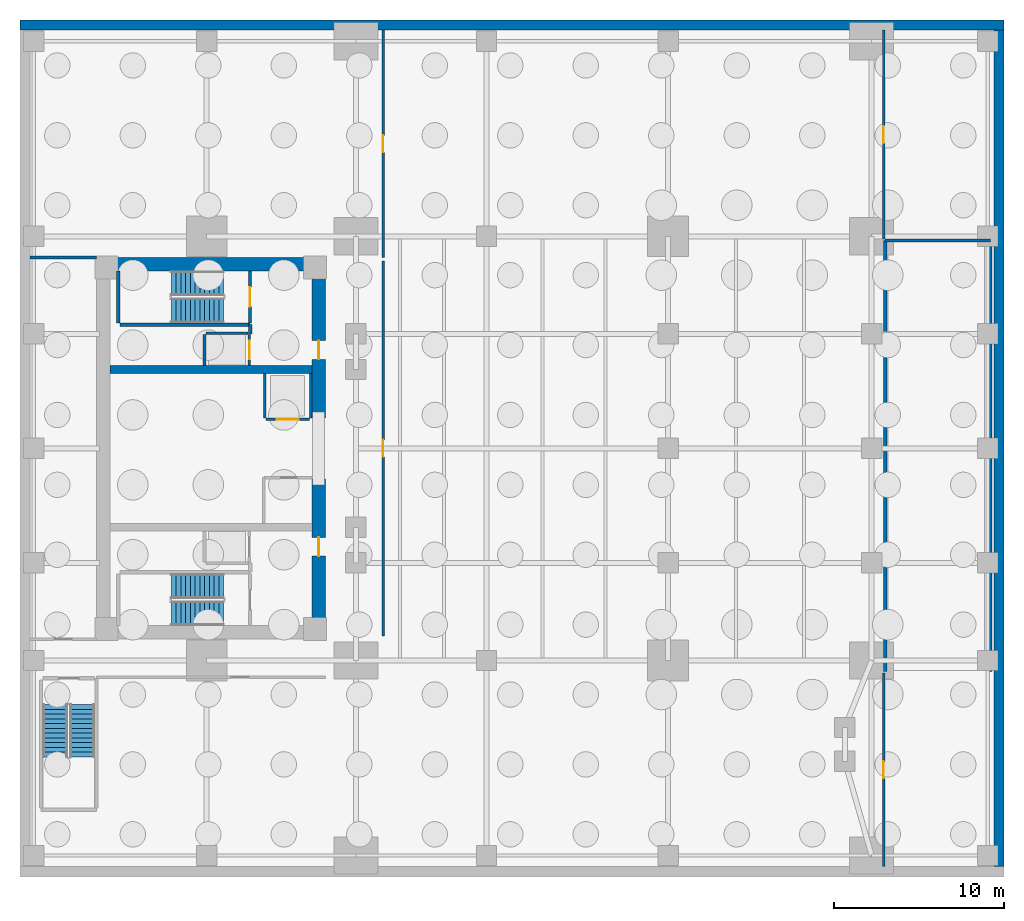
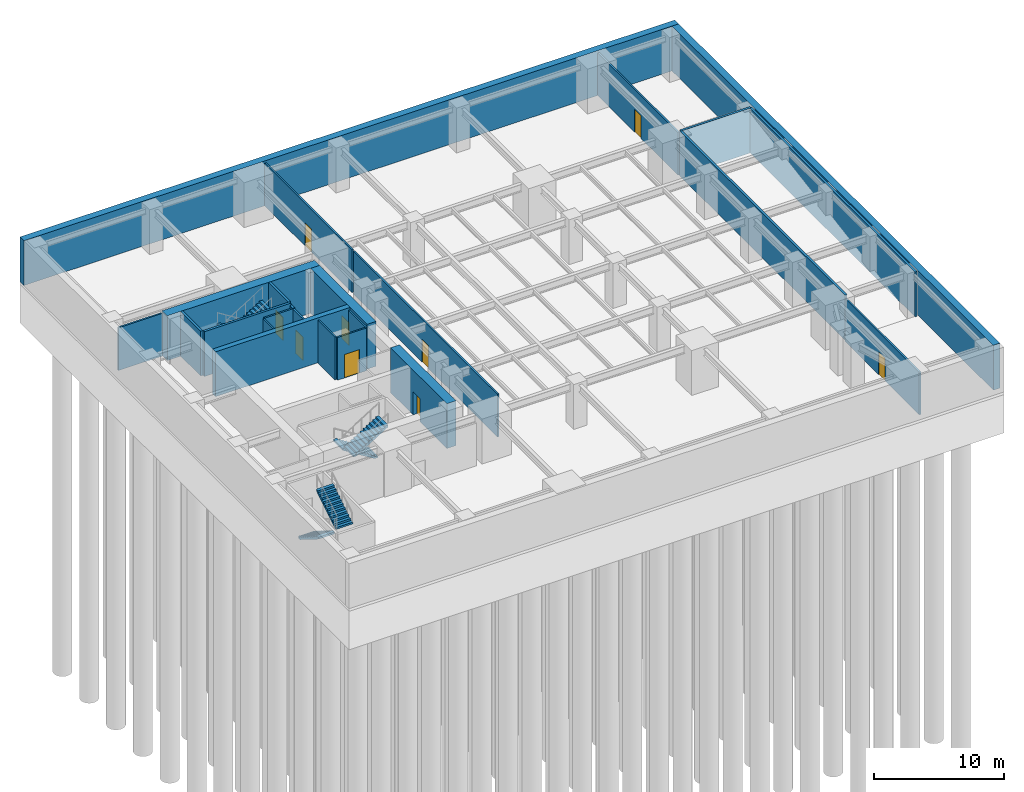
# One storey, part 4 of 6: 24 walls, 9 doors, 6 stair flights, 9 openings, 3 elements without a shape of their own.
"""IFC4 building model written with IfcOpenShell, lengths in metres."""

from ifc_helpers import new_model, si_unit, direction, frame, frame_2d, origin, place, context, subcontext, project, spatial, polyline, rectangle, outline, extrude, material, layer, layer_set, type_object, element, fill, aggregate, save


model = new_model("IFC4")

# Units and contexts
model_context = context("Model", 3, precision=1e-05, world=origin(), true_north=direction((0.0, 1.0)))
body_context = subcontext(model_context, "Body", "Model", "MODEL_VIEW")
ifc_project = project(units=[si_unit("LENGTHUNIT", "METRE"), si_unit("AREAUNIT", "SQUARE_METRE"), si_unit("VOLUMEUNIT", "CUBIC_METRE"), si_unit("PLANEANGLEUNIT", "RADIAN"), si_unit("MASSUNIT", "GRAM", prefix="KILO")], contexts=[model_context])

# Site, building, storey
site_placement = place(None, origin())
site = spatial("IfcSite", under=ifc_project, at=site_placement, CompositionType="ELEMENT")
building_placement = place(site_placement, origin())
building = spatial("IfcBuilding", under=site, at=building_placement, Name="Kinhvarn Gate Tower", CompositionType="ELEMENT")
storey_placement = place(building_placement, frame((0.0, 0.0, -13.199951171875)))
storey = spatial("IfcBuildingStorey", under=building, at=storey_placement, Name="B03", CompositionType="ELEMENT", Elevation=-13.199951171875)

# Walls
ifc_material_1 = material(Name="Concrete C50/60", Category="concrete")
ifc_layer_1 = layer(ifc_material_1, 0.449951171875)
ifc_layer_set_1 = layer_set([ifc_layer_1], Name="Concrete C50/60")
wall_type_1 = type_object("IfcWallType", Name="WL-CORE-450", PredefinedType="SHEAR", material=ifc_layer_set_1)
wall_1_placement = place(storey_placement, frame((5.300048828125, 29.89990234375, 0.0), z_axis=(0.0, 0.0, 1.0), x_axis=(1.0, 0.0, 0.0)))
element("IfcWall", 1, at=wall_1_placement, inside=storey, type_object=wall_type_1, Name="Core North Spine Shear Wall B03 450 mm", PredefinedType="SHEAR", context=body_context, shape_type="SweptSolid", body=[
    extrude(rectangle(XDim=11.89990234375, YDim=0.449951171875, at=frame_2d((5.949951171875, 0.0))), origin(), (0.0, 0.0, 1.0), 4.199951171875),
])
ifc_material_2 = material(Name="Concrete C70/85", Category="concrete")
ifc_layer_2 = layer(ifc_material_2, 0.800048828125)
ifc_layer_set_2 = layer_set([ifc_layer_2], Name="Concrete C70/85")
wall_type_2 = type_object("IfcWallType", Name="WL-CORE-800", PredefinedType="SHEAR", material=ifc_layer_set_2)
wall_2_placement = place(storey_placement, frame((4.5, 36.10009765625, 0.0), z_axis=(0.0, 0.0, 1.0), x_axis=(1.0, 0.0, 0.0)))
element("IfcWall", 2, at=wall_2_placement, inside=storey, type_object=wall_type_2, Name="Core North Shear Wall B03 800 mm", PredefinedType="SHEAR", context=body_context, shape_type="SweptSolid", body=[
    extrude(rectangle(XDim=13.5, YDim=0.800048828125, at=frame_2d((6.75, 0.0))), origin(), (0.0, 0.0, 1.0), 4.199951171875),
])

# Wall, opening, door
wall_3_placement = place(storey_placement, frame((17.60009765625, 14.800048828125, 0.0), z_axis=(0.0, 0.0, 1.0), x_axis=(0.0, 1.0, 0.0)))
wall_3 = element("IfcWall", 3, at=wall_3_placement, inside=storey, type_object=wall_type_2, Name="Core East-South Shear Pier B03 800 mm", PredefinedType="SHEAR", context=body_context, shape_type="SweptSolid", body=[
    extrude(rectangle(XDim=8.64990234375, YDim=0.800048828125, at=frame_2d((4.324951171875, 0.0))), origin(), (0.0, 0.0, 1.0), 4.199951171875),
])
opening_1_placement = place(wall_3_placement, frame((4.10009765625, 0.0, 0.0)))
opening_1 = element("IfcOpeningElement", 4, at=opening_1_placement, cuts=wall_3, Name="Opening FD-02", PredefinedType="OPENING", context=body_context, shape_type="SweptSolid", body=[
    extrude(rectangle(XDim=1.10009765625, YDim=2.14990234375, at=frame_2d((0.550048828125, 1.074951171875))), frame((0.0, 0.41015625, 0.0), z_axis=(0.0, -1.0, 0.0), x_axis=(1.0, 0.0, 0.0)), (0.0, 0.0, 1.0), 0.820068359375),
])
ifc_material_3 = material(Name="Anodised aluminium AW-6063", Category="aluminium")
door_type_1 = type_object("IfcDoorType", Name="DR-FD-1100", OperationType="NOTDEFINED", PredefinedType="DOOR", material=ifc_material_3)
door_1_placement = place(opening_1_placement, origin())
door_1 = element("IfcDoor", 5, at=door_1_placement, inside=storey, type_object=door_type_1, Name="Firefighting Lobby Core Door (B03)", OperationType="SINGLE_SWING_RIGHT", OverallHeight=2.14990234375, OverallWidth=1.10009765625, PredefinedType="DOOR", context=body_context, shape_type="SweptSolid", body=[
    extrude(rectangle(XDim=1.10009765625, YDim=2.14990234375, at=frame_2d((0.550048828125, 1.074951171875))), frame((0.0, 0.02490234375, 0.0), z_axis=(0.0, -1.0, 0.0), x_axis=(1.0, 0.0, 0.0)), (0.0, 0.0, 1.0), 0.050048828125),
])
fill(opening_1, door_1)

wall_4_placement = place(storey_placement, frame((17.60009765625, 27.050048828125, 0.0), z_axis=(0.0, 0.0, 1.0), x_axis=(0.0, 1.0, 0.0)))
wall_4 = element("IfcWall", 6, at=wall_4_placement, inside=storey, type_object=wall_type_2, Name="Core East-North Shear Pier B03 800 mm", PredefinedType="SHEAR", context=body_context, shape_type="SweptSolid", body=[
    extrude(rectangle(XDim=8.64990234375, YDim=0.800048828125, at=frame_2d((4.324951171875, 0.0))), origin(), (0.0, 0.0, 1.0), 4.199951171875),
])
opening_2_placement = place(wall_4_placement, frame((3.449951171875, 0.0, 0.0)))
opening_2 = element("IfcOpeningElement", 7, at=opening_2_placement, cuts=wall_4, Name="Opening FD-02", PredefinedType="OPENING", context=body_context, shape_type="SweptSolid", body=[
    extrude(rectangle(XDim=1.10009765625, YDim=2.14990234375, at=frame_2d((0.550048828125, 1.074951171875))), frame((0.0, 0.41015625, 0.0), z_axis=(0.0, -1.0, 0.0), x_axis=(1.0, 0.0, 0.0)), (0.0, 0.0, 1.0), 0.820068359375),
])
door_2_placement = place(opening_2_placement, origin())
door_2 = element("IfcDoor", 8, at=door_2_placement, inside=storey, type_object=door_type_1, Name="Firefighting Lobby Core Door (B03)", OperationType="SINGLE_SWING_LEFT", OverallHeight=2.14990234375, OverallWidth=1.10009765625, PredefinedType="DOOR", context=body_context, shape_type="SweptSolid", body=[
    extrude(rectangle(XDim=1.10009765625, YDim=2.14990234375, at=frame_2d((0.550048828125, 1.074951171875))), frame((0.0, 0.02490234375, 0.0), z_axis=(0.0, -1.0, 0.0), x_axis=(1.0, 0.0, 0.0)), (0.0, 0.0, 1.0), 0.050048828125),
])
fill(opening_2, door_2)

ifc_material_4 = material(Name="Gypsum acoustic partition board")
ifc_layer_3 = layer(ifc_material_4, 0.14990234375)
ifc_layer_set_3 = layer_set([ifc_layer_3], Name="Gypsum acoustic partition board")
wall_type_3 = type_object("IfcWallType", Name="WL-PRT-150F", PredefinedType="PARTITIONING", material=ifc_layer_set_3)
wall_5_placement = place(storey_placement, frame((21.39990234375, 14.199951171875, 0.0), z_axis=(0.0, 0.0, 1.0), x_axis=(0.0, 1.0, 0.0)))
wall_5 = element("IfcWall", 9, at=wall_5_placement, inside=storey, type_object=wall_type_3, Name="Interior Partition PW-150F (B03)", PredefinedType="PARTITIONING", context=body_context, shape_type="SweptSolid", body=[
    extrude(rectangle(XDim=22.10009765625, YDim=0.14990234375, at=frame_2d((11.050048828125, 0.0))), origin(), (0.0, 0.0, 1.0), 4.0),
])
opening_3_placement = place(wall_5_placement, frame((10.550048828125, 0.0, 0.0)))
opening_3 = element("IfcOpeningElement", 10, at=opening_3_placement, cuts=wall_5, Name="Opening ID-02", PredefinedType="OPENING", context=body_context, shape_type="SweptSolid", body=[
    extrude(rectangle(XDim=1.0, YDim=2.14990234375, at=frame_2d((0.5, 1.074951171875))), frame((0.0, 0.0849609375, 0.0), z_axis=(0.0, -1.0, 0.0), x_axis=(1.0, 0.0, 0.0)), (0.0, 0.0, 1.0), 0.169921875),
])
door_type_2 = type_object("IfcDoorType", Name="DR-INT-1000", OperationType="NOTDEFINED", PredefinedType="DOOR", material=ifc_material_3)
door_3_placement = place(opening_3_placement, origin())
door_3 = element("IfcDoor", 11, at=door_3_placement, inside=storey, type_object=door_type_2, Name="Standard Office & Meeting Room Door 1000x2150 mm (B03)", OperationType="SINGLE_SWING_LEFT", OverallHeight=2.14990234375, OverallWidth=1.0, PredefinedType="DOOR", context=body_context, shape_type="SweptSolid", body=[
    extrude(rectangle(XDim=1.0, YDim=2.14990234375, at=frame_2d((0.5, 1.074951171875))), frame((0.0, 0.02490234375, 0.0), z_axis=(0.0, -1.0, 0.0), x_axis=(1.0, 0.0, 0.0)), (0.0, 0.0, 1.0), 0.050048828125),
])
fill(opening_3, door_3)

# Wall
wall_6_placement = place(storey_placement, frame((0.60009765625, 36.5, 0.0), z_axis=(0.0, 0.0, 1.0), x_axis=(1.0, 0.0, 0.0)))
element("IfcWall", 12, at=wall_6_placement, inside=storey, type_object=wall_type_3, Name="Interior Partition PW-150F (B03)", PredefinedType="PARTITIONING", context=body_context, shape_type="SweptSolid", body=[
    extrude(rectangle(XDim=3.89990234375, YDim=0.14990234375, at=frame_2d((1.949951171875, 0.0))), origin(), (0.0, 0.0, 1.0), 4.0),
])

# Wall, opening, door
wall_7_placement = place(storey_placement, frame((21.39990234375, 36.5, 0.0), z_axis=(0.0, 0.0, 1.0), x_axis=(0.0, 1.0, 0.0)))
wall_7 = element("IfcWall", 13, at=wall_7_placement, inside=storey, type_object=wall_type_3, Name="Interior Partition PW-150F (B03)", PredefinedType="PARTITIONING", context=body_context, shape_type="SweptSolid", body=[
    extrude(rectangle(XDim=13.39990234375, YDim=0.14990234375, at=frame_2d((6.699951171875, 0.0))), origin(), (0.0, 0.0, 1.0), 4.0),
])
opening_4_placement = place(wall_7_placement, frame((6.199951171875, 0.0, 0.0)))
opening_4 = element("IfcOpeningElement", 14, at=opening_4_placement, cuts=wall_7, Name="Opening FD-03", PredefinedType="OPENING", context=body_context, shape_type="SweptSolid", body=[
    extrude(rectangle(XDim=1.0, YDim=2.14990234375, at=frame_2d((0.5, 1.074951171875))), frame((0.0, 0.0849609375, 0.0), z_axis=(0.0, -1.0, 0.0), x_axis=(1.0, 0.0, 0.0)), (0.0, 0.0, 1.0), 0.169921875),
])
door_type_3 = type_object("IfcDoorType", Name="DR-FD-1000", OperationType="NOTDEFINED", PredefinedType="DOOR", material=ifc_material_3)
door_4_placement = place(opening_4_placement, origin())
door_4 = element("IfcDoor", 15, at=door_4_placement, inside=storey, type_object=door_type_3, Name="Rated Plant & Corridor Fire Door 1000x2150 mm (B03)", OperationType="SINGLE_SWING_RIGHT", OverallHeight=2.14990234375, OverallWidth=1.0, PredefinedType="DOOR", context=body_context, shape_type="SweptSolid", body=[
    extrude(rectangle(XDim=1.0, YDim=2.14990234375, at=frame_2d((0.5, 1.074951171875))), frame((0.0, 0.02490234375, 0.0), z_axis=(0.0, -1.0, 0.0), x_axis=(1.0, 0.0, 0.0)), (0.0, 0.0, 1.0), 0.050048828125),
])
fill(opening_4, door_4)

wall_8_placement = place(storey_placement, frame((50.89990234375, 0.60009765625, 0.0), z_axis=(0.0, 0.0, 1.0), x_axis=(0.0, 1.0, 0.0)))
wall_8 = element("IfcWall", 16, at=wall_8_placement, inside=storey, type_object=wall_type_3, Name="Interior Partition PW-150F (B03)", PredefinedType="PARTITIONING", context=body_context, shape_type="SweptSolid", body=[
    extrude(rectangle(XDim=11.39990234375, YDim=0.14990234375, at=frame_2d((5.699951171875, 0.0))), origin(), (0.0, 0.0, 1.0), 4.0),
])
opening_5_placement = place(wall_8_placement, frame((5.199951171875, 0.0, 0.0)))
opening_5 = element("IfcOpeningElement", 17, at=opening_5_placement, cuts=wall_8, Name="Opening FD-03", PredefinedType="OPENING", context=body_context, shape_type="SweptSolid", body=[
    extrude(rectangle(XDim=1.0, YDim=2.14990234375, at=frame_2d((0.5, 1.074951171875))), frame((0.0, 0.0849609375, 0.0), z_axis=(0.0, -1.0, 0.0), x_axis=(1.0, 0.0, 0.0)), (0.0, 0.0, 1.0), 0.169921875),
])
door_5_placement = place(opening_5_placement, origin())
door_5 = element("IfcDoor", 18, at=door_5_placement, inside=storey, type_object=door_type_3, Name="Rated Plant & Corridor Fire Door 1000x2150 mm (B03)", OperationType="SINGLE_SWING_LEFT", OverallHeight=2.14990234375, OverallWidth=1.0, PredefinedType="DOOR", context=body_context, shape_type="SweptSolid", body=[
    extrude(rectangle(XDim=1.0, YDim=2.14990234375, at=frame_2d((0.5, 1.074951171875))), frame((0.0, 0.02490234375, 0.0), z_axis=(0.0, -1.0, 0.0), x_axis=(1.0, 0.0, 0.0)), (0.0, 0.0, 1.0), 0.050048828125),
])
fill(opening_5, door_5)

wall_9_placement = place(storey_placement, frame((50.89990234375, 37.60009765625, 0.0), z_axis=(0.0, 0.0, 1.0), x_axis=(0.0, 1.0, 0.0)))
wall_9 = element("IfcWall", 19, at=wall_9_placement, inside=storey, type_object=wall_type_3, Name="Interior Partition PW-150F (B03)", PredefinedType="PARTITIONING", context=body_context, shape_type="SweptSolid", body=[
    extrude(rectangle(XDim=12.2998046875, YDim=0.14990234375, at=frame_2d((6.14990234375, 0.0))), origin(), (0.0, 0.0, 1.0), 4.0),
])
opening_6_placement = place(wall_9_placement, frame((5.64990234375, 0.0, 0.0)))
opening_6 = element("IfcOpeningElement", 20, at=opening_6_placement, cuts=wall_9, Name="Opening FD-03", PredefinedType="OPENING", context=body_context, shape_type="SweptSolid", body=[
    extrude(rectangle(XDim=1.0, YDim=2.14990234375, at=frame_2d((0.5, 1.074951171875))), frame((0.0, 0.0849609375, 0.0), z_axis=(0.0, -1.0, 0.0), x_axis=(1.0, 0.0, 0.0)), (0.0, 0.0, 1.0), 0.169921875),
])
door_6_placement = place(opening_6_placement, origin())
door_6 = element("IfcDoor", 21, at=door_6_placement, inside=storey, type_object=door_type_3, Name="Rated Plant & Corridor Fire Door 1000x2150 mm (B03)", OperationType="SINGLE_SWING_RIGHT", OverallHeight=2.14990234375, OverallWidth=1.0, PredefinedType="DOOR", context=body_context, shape_type="SweptSolid", body=[
    extrude(rectangle(XDim=1.0, YDim=2.14990234375, at=frame_2d((0.5, 1.074951171875))), frame((0.0, 0.02490234375, 0.0), z_axis=(0.0, -1.0, 0.0), x_axis=(1.0, 0.0, 0.0)), (0.0, 0.0, 1.0), 0.050048828125),
])
fill(opening_6, door_6)

# Walls
ifc_layer_4 = layer(ifc_material_4, 0.199951171875)
ifc_layer_set_4 = layer_set([ifc_layer_4], Name="Gypsum acoustic partition board")
wall_type_4 = type_object("IfcWallType", Name="WL-PRT-200", PredefinedType="PARTITIONING", material=ifc_layer_set_4)
wall_10_placement = place(storey_placement, frame((13.580078125, 32.0, 0.0), z_axis=(0.0, 0.0, 1.0), x_axis=(0.0, 1.0, 0.0)))
element("IfcWall", 22, at=wall_10_placement, inside=storey, type_object=wall_type_4, Name="Interior Partition PW-200 (B03)", PredefinedType="PARTITIONING", context=body_context, shape_type="SweptSolid", body=[
    extrude(rectangle(XDim=0.5400390625, YDim=0.199951171875, at=frame_2d((0.27001953125, 0.0))), origin(), (0.0, 0.0, 1.0), 4.0),
])
ifc_layer_5 = layer(ifc_material_1, 0.60009765625)
ifc_layer_set_5 = layer_set([ifc_layer_5], Name="Concrete C50/60")
wall_type_5 = type_object("IfcWallType", Name="WL-RET-600", PredefinedType="USERDEFINED", material=ifc_layer_set_5)
wall_11_placement = place(storey_placement, frame((0.0, 50.199951171875, 0.0), z_axis=(0.0, 0.0, 1.0), x_axis=(1.0, 0.0, 0.0)))
element("IfcWall", 23, at=wall_11_placement, inside=storey, type_object=wall_type_5, Name="North Diaphragm Retaining Wall B03 600 mm", ObjectType="RETAININGWALL", PredefinedType="USERDEFINED", context=body_context, shape_type="SweptSolid", body=[
    extrude(rectangle(XDim=58.0, YDim=0.60009765625, at=frame_2d((29.0, 0.0))), origin(), (0.0, 0.0, 1.0), 4.199951171875),
])
wall_12_placement = place(storey_placement, frame((57.699951171875, 0.60009765625, 0.0), z_axis=(0.0, 0.0, 1.0), x_axis=(0.0, 1.0, 0.0)))
element("IfcWall", 24, at=wall_12_placement, inside=storey, type_object=wall_type_5, Name="East Diaphragm Retaining Wall B03 600 mm", ObjectType="RETAININGWALL", PredefinedType="USERDEFINED", context=body_context, shape_type="SweptSolid", body=[
    extrude(rectangle(XDim=49.2998046875, YDim=0.60009765625, at=frame_2d((24.64990234375, 0.0))), origin(), (0.0, 0.0, 1.0), 4.199951171875),
])

# Wall, opening, door
ifc_layer_6 = layer(ifc_material_4, 0.14990234375)
ifc_layer_set_6 = layer_set([ifc_layer_6], Name="Gypsum acoustic partition board")
wall_type_6 = type_object("IfcWallType", Name="WL-SHF-150", PredefinedType="PARTITIONING", material=ifc_layer_set_6)
wall_13_placement = place(storey_placement, frame((14.5, 26.97509765625, 0.0), z_axis=(0.0, 0.0, 1.0), x_axis=(1.0, 0.0, 0.0)))
wall_13 = element("IfcWall", 25, at=wall_13_placement, inside=storey, type_object=wall_type_6, Name="Elevator SV-01 Landing Wall (B03)", PredefinedType="PARTITIONING", context=body_context, shape_type="SweptSolid", body=[
    extrude(rectangle(XDim=2.550048828125, YDim=0.14990234375, at=frame_2d((1.27490234375, 0.0))), origin(), (0.0, 0.0, 1.0), 4.0),
])
opening_7_placement = place(wall_13_placement, frame((0.625, 0.0, 0.0)))
opening_7 = element("IfcOpeningElement", 26, at=opening_7_placement, cuts=wall_13, Name="Opening LD-02", PredefinedType="OPENING", context=body_context, shape_type="SweptSolid", body=[
    extrude(rectangle(XDim=1.300048828125, YDim=2.199951171875, at=frame_2d((0.64990234375, 1.10009765625))), frame((0.0, 0.0849609375, 0.0), z_axis=(0.0, -1.0, 0.0), x_axis=(1.0, 0.0, 0.0)), (0.0, 0.0, 1.0), 0.169921875),
])
door_type_4 = type_object("IfcDoorType", Name="DR-LND-SRV", OperationType="NOTDEFINED", PredefinedType="DOOR", material=ifc_material_3)
door_7_placement = place(opening_7_placement, origin())
door_7 = element("IfcDoor", 27, at=door_7_placement, inside=storey, type_object=door_type_4, Name="Elevator SV-01 Sliding Landing Door (B03)", OperationType="DOUBLE_DOOR_SLIDING", OverallHeight=2.199951171875, OverallWidth=1.300048828125, PredefinedType="DOOR", context=body_context, shape_type="SweptSolid", body=[
    extrude(rectangle(XDim=1.300048828125, YDim=2.199951171875, at=frame_2d((0.64990234375, 1.10009765625))), frame((0.0, 0.02490234375, 0.0), z_axis=(0.0, -1.0, 0.0), x_axis=(1.0, 0.0, 0.0)), (0.0, 0.0, 1.0), 0.050048828125),
])
fill(opening_7, door_7)

# Walls
for number, where, z_axis, x_axis, name in (
    (28, (14.425048828125, 27.050048828125, 0.0), (0.0, 0.0, 1.0), (0.0, 1.0, 0.0), "Elevator SV-01 Hoistway Wall W (B03)"),
    (29, (17.125, 27.050048828125, 0.0), (0.0, 0.0, 1.0), (0.0, 1.0, 0.0), "Elevator SV-01 Hoistway Wall E (B03)"),
):
    element("IfcWall", number, at=place(storey_placement, frame(where, z_axis=z_axis, x_axis=x_axis)), inside=storey, type_object=wall_type_6, Name=name, PredefinedType="PARTITIONING", context=body_context, shape_type="SweptSolid", body=[
        extrude(rectangle(XDim=2.599853515625, YDim=0.14990234375, at=frame_2d((1.2998046875, 0.0))), origin(), (0.0, 0.0, 1.0), 4.0),
    ])
wall_14_placement = place(storey_placement, frame((10.949951171875, 32.02490234375, 0.0), z_axis=(0.0, 0.0, 1.0), x_axis=(1.0, 0.0, 0.0)))
element("IfcWall", 30, at=wall_14_placement, inside=storey, type_object=wall_type_6, Name="Elevator FF2 Hoistway Wall N (B03)", PredefinedType="PARTITIONING", context=body_context, shape_type="SweptSolid", body=[
    extrude(rectangle(XDim=2.5, YDim=0.14990234375, at=frame_2d((1.25, 0.0))), origin(), (0.0, 0.0, 1.0), 4.0),
])
wall_15_placement = place(storey_placement, frame((10.875, 30.14990234375, 0.0), z_axis=(0.0, 0.0, 1.0), x_axis=(0.0, 1.0, 0.0)))
element("IfcWall", 31, at=wall_15_placement, inside=storey, type_object=wall_type_6, Name="Elevator FF2 Hoistway Wall W (B03)", PredefinedType="PARTITIONING", context=body_context, shape_type="SweptSolid", body=[
    extrude(rectangle(XDim=1.800048828125, YDim=0.14990234375, at=frame_2d((0.89990234375, 0.0))), origin(), (0.0, 0.0, 1.0), 4.0),
])

# Wall, opening, door
wall_16_placement = place(storey_placement, frame((13.52490234375, 30.14990234375, 0.0), z_axis=(0.0, 0.0, 1.0), x_axis=(0.0, 1.0, 0.0)))
wall_16 = element("IfcWall", 32, at=wall_16_placement, inside=storey, type_object=wall_type_6, Name="Elevator FF2 Landing Wall (B03)", PredefinedType="PARTITIONING", context=body_context, shape_type="SweptSolid", body=[
    extrude(rectangle(XDim=1.800048828125, YDim=0.14990234375, at=frame_2d((0.89990234375, 0.0))), origin(), (0.0, 0.0, 1.0), 4.0),
])
opening_8_placement = place(wall_16_placement, frame((0.35009765625, 0.0, 0.0)))
opening_8 = element("IfcOpeningElement", 33, at=opening_8_placement, cuts=wall_16, Name="Opening LD-03", PredefinedType="OPENING", context=body_context, shape_type="SweptSolid", body=[
    extrude(rectangle(XDim=1.10009765625, YDim=2.199951171875, at=frame_2d((0.550048828125, 1.10009765625))), frame((0.0, 0.0849609375, 0.0), z_axis=(0.0, -1.0, 0.0), x_axis=(1.0, 0.0, 0.0)), (0.0, 0.0, 1.0), 0.169921875),
])
door_type_5 = type_object("IfcDoorType", Name="DR-LND-FF", OperationType="NOTDEFINED", PredefinedType="DOOR", material=ifc_material_3)
door_8_placement = place(opening_8_placement, origin())
door_8 = element("IfcDoor", 34, at=door_8_placement, inside=storey, type_object=door_type_5, Name="Elevator FF2 Sliding Landing Door (B03)", OperationType="DOUBLE_DOOR_SLIDING", OverallHeight=2.199951171875, OverallWidth=1.10009765625, PredefinedType="DOOR", context=body_context, shape_type="SweptSolid", body=[
    extrude(rectangle(XDim=1.10009765625, YDim=2.199951171875, at=frame_2d((0.550048828125, 1.10009765625))), frame((0.0, 0.02490234375, 0.0), z_axis=(0.0, -1.0, 0.0), x_axis=(1.0, 0.0, 0.0)), (0.0, 0.0, 1.0), 0.050048828125),
])
fill(opening_8, door_8)

# Walls
ifc_material_5 = material(Name="Concrete C40/50", Category="concrete")
ifc_layer_7 = layer(ifc_material_5, 0.199951171875)
ifc_layer_set_7 = layer_set([ifc_layer_7], Name="Concrete C40/50")
wall_type_7 = type_object("IfcWallType", Name="WL-SHF-200", PredefinedType="SOLIDWALL", material=ifc_layer_set_7)
wall_17_placement = place(storey_placement, frame((5.7900390625, 32.64990234375, 0.0), z_axis=(0.0, 0.0, 1.0), x_axis=(0.0, 1.0, 0.0)))
element("IfcWall", 35, at=wall_17_placement, inside=storey, type_object=wall_type_7, Name="Stair ST2 West Shaft Wall (B03)", PredefinedType="SOLIDWALL", context=body_context, shape_type="SweptSolid", body=[
    extrude(rectangle(XDim=3.050048828125, YDim=0.199951171875, at=frame_2d((1.52490234375, 0.0))), origin(), (0.0, 0.0, 1.0), 4.199951171875),
])
wall_18_placement = place(storey_placement, frame((5.89990234375, 32.5400390625, 0.0), z_axis=(0.0, 0.0, 1.0), x_axis=(1.0, 0.0, 0.0)))
element("IfcWall", 36, at=wall_18_placement, inside=storey, type_object=wall_type_7, Name="Stair ST2 South Shaft Wall (B03)", PredefinedType="SOLIDWALL", context=body_context, shape_type="SweptSolid", body=[
    extrude(rectangle(XDim=7.66015625, YDim=0.199951171875, at=frame_2d((3.830078125, 0.0))), origin(), (0.0, 0.0, 1.0), 4.199951171875),
])

# Wall, opening, door
wall_19_placement = place(storey_placement, frame((13.56005859375, 32.64990234375, 0.0), z_axis=(0.0, 0.0, 1.0), x_axis=(0.0, 1.0, 0.0)))
wall_19 = element("IfcWall", 37, at=wall_19_placement, inside=storey, type_object=wall_type_7, Name="Stair ST2 East Entry Wall (B03)", PredefinedType="SOLIDWALL", context=body_context, shape_type="SweptSolid", body=[
    extrude(rectangle(XDim=3.050048828125, YDim=0.199951171875, at=frame_2d((1.52490234375, 0.0))), origin(), (0.0, 0.0, 1.0), 4.199951171875),
])
opening_9_placement = place(wall_19_placement, frame((0.949951171875, 0.0, 0.0)))
opening_9 = element("IfcOpeningElement", 38, at=opening_9_placement, cuts=wall_19, Name="Opening FD-01", PredefinedType="OPENING", context=body_context, shape_type="SweptSolid", body=[
    extrude(rectangle(XDim=1.14990234375, YDim=2.14990234375, at=frame_2d((0.574951171875, 1.074951171875))), frame((0.0, 0.10986328125, 0.0), z_axis=(0.0, -1.0, 0.0), x_axis=(1.0, 0.0, 0.0)), (0.0, 0.0, 1.0), 0.219970703125),
])
door_type_6 = type_object("IfcDoorType", Name="DR-ST-1150", OperationType="NOTDEFINED", PredefinedType="DOOR", material=ifc_material_3)
door_9_placement = place(opening_9_placement, origin())
door_9 = element("IfcDoor", 39, at=door_9_placement, inside=storey, type_object=door_type_6, Name="Exit Stair ST2 Fire Door (B03)", OperationType="SINGLE_SWING_RIGHT", OverallHeight=2.14990234375, OverallWidth=1.14990234375, PredefinedType="DOOR", context=body_context, shape_type="SweptSolid", body=[
    extrude(rectangle(XDim=1.14990234375, YDim=2.14990234375, at=frame_2d((0.574951171875, 1.074951171875))), frame((0.0, 0.02490234375, 0.0), z_axis=(0.0, -1.0, 0.0), x_axis=(1.0, 0.0, 0.0)), (0.0, 0.0, 1.0), 0.050048828125),
])
fill(opening_9, door_9)

# Walls
for number, where, z_axis, x_axis, name in (
    (40, (51.0, 12.10009765625, 0.0), (0.0, 0.0, 1.0), (0.0, 1.0, 0.0), "Vehicle Ramp West Shaft Wall (B03)"),
    (41, (57.199951171875, 12.10009765625, 0.0), (0.0, 0.0, 1.0), (0.0, 1.0, 0.0), "Vehicle Ramp East Shaft Wall (B03)"),
):
    element("IfcWall", number, at=place(storey_placement, frame(where, z_axis=z_axis, x_axis=x_axis)), inside=storey, type_object=wall_type_7, Name=name, PredefinedType="SOLIDWALL", context=body_context, shape_type="SweptSolid", body=[
        extrude(rectangle(XDim=25.39990234375, YDim=0.199951171875, at=frame_2d((12.699951171875, 0.0))), origin(), (0.0, 0.0, 1.0), 4.199951171875),
    ])
wall_20_placement = place(storey_placement, frame((51.0, 37.5, 0.0), z_axis=(0.0, 0.0, 1.0), x_axis=(1.0, 0.0, 0.0)))
element("IfcWall", 42, at=wall_20_placement, inside=storey, type_object=wall_type_7, Name="Vehicle Ramp End Safety Wall (B03)", PredefinedType="SOLIDWALL", context=body_context, shape_type="SweptSolid", body=[
    extrude(rectangle(XDim=6.199951171875, YDim=0.199951171875, at=frame_2d((3.10009765625, 0.0))), origin(), (0.0, 0.0, 1.0), 4.199951171875),
])

# Stair, stair flights
stair_type = type_object("IfcStairType", Name="STR-DLG-175", PredefinedType="HALF_TURN_STAIR", material=ifc_material_5)
stair_1_placement = place(storey_placement, origin())
stair_1 = element("IfcStair", 43, at=stair_1_placement, inside=storey, type_object=stair_type, Name="B03 Core Smokeproof Exit Stair ST1", PredefinedType="HALF_TURN_STAIR")
stair_flight_type = type_object("IfcStairFlightType", Name="STF-DLG-175", PredefinedType="STRAIGHT", material=ifc_material_5)
stair_flight_1_placement = place(storey_placement, frame((12.0, 17.125, 0.0), z_axis=(0.0, 0.0, 1.0), x_axis=(-1.0, 0.0, 0.0)))
stair_flight_1 = element("IfcStairFlight", 44, at=stair_flight_1_placement, type_object=stair_flight_type, Name="ST1 flight 1", NumberOfRisers=12, NumberOfTreads=11, PredefinedType="STRAIGHT", RiserHeight=0.175, TreadLength=0.28, context=body_context, shape_type="SweptSolid", body=[
    extrude(outline(polyline([(0.0, 0.0), (0.0, 0.175048828125), (0.280029296875, 0.175048828125), (0.280029296875, 0.35009765625), (0.56005859375, 0.35009765625), (0.56005859375, 0.52490234375), (0.840087890625, 0.52490234375), (0.840087890625, 0.699951171875), (1.1201171875, 0.699951171875), (1.1201171875, 0.875), (1.39990234375, 0.875), (1.39990234375, 1.050048828125), (1.679931640625, 1.050048828125), (1.679931640625, 1.22509765625), (1.9599609375, 1.22509765625), (1.9599609375, 1.39990234375), (2.239990234375, 1.39990234375), (2.239990234375, 1.574951171875), (2.52001953125, 1.574951171875), (2.52001953125, 1.75), (2.800048828125, 1.75), (2.800048828125, 1.925048828125), (3.080078125, 1.925048828125), (3.080078125, 2.10009765625), (3.080078125, 1.748291015625), (0.28271484375, 0.0), (0.0, 0.0)])), frame((0.0, 0.72509765625, 0.0), z_axis=(0.0, -1.0, 0.0), x_axis=(1.0, 0.0, 0.0)), (0.0, 0.0, 1.0), 1.449951171875),
])
stair_flight_2_placement = place(storey_placement, frame((8.919921875, 15.52490234375, 2.099853515625), z_axis=(0.0, 0.0, 1.0), x_axis=(1.0, 0.0, 0.0)))
stair_flight_2 = element("IfcStairFlight", 45, at=stair_flight_2_placement, type_object=stair_flight_type, Name="ST1 flight 2", NumberOfRisers=12, NumberOfTreads=11, PredefinedType="STRAIGHT", RiserHeight=0.175, TreadLength=0.28, context=body_context, shape_type="SweptSolid", body=[
    extrude(outline(polyline([(0.0, 0.0), (0.0, 0.175048828125), (0.280029296875, 0.175048828125), (0.280029296875, 0.35009765625), (0.56005859375, 0.35009765625), (0.56005859375, 0.52490234375), (0.840087890625, 0.52490234375), (0.840087890625, 0.699951171875), (1.1201171875, 0.699951171875), (1.1201171875, 0.875), (1.39990234375, 0.875), (1.39990234375, 1.050048828125), (1.679931640625, 1.050048828125), (1.679931640625, 1.22509765625), (1.9599609375, 1.22509765625), (1.9599609375, 1.39990234375), (2.239990234375, 1.39990234375), (2.239990234375, 1.574951171875), (2.52001953125, 1.574951171875), (2.52001953125, 1.75), (2.800048828125, 1.75), (2.800048828125, 1.925048828125), (3.080078125, 1.925048828125), (3.080078125, 2.10009765625), (3.080078125, 1.748291015625), (0.28271484375, 0.0), (0.0, 0.0)])), frame((0.0, 0.72509765625, 0.0), z_axis=(0.0, -1.0, 0.0), x_axis=(1.0, 0.0, 0.0)), (0.0, 0.0, 1.0), 1.449951171875),
])
aggregate(stair_1, [stair_flight_1, stair_flight_2])

stair_2_placement = place(storey_placement, origin())
stair_2 = element("IfcStair", 46, at=stair_2_placement, inside=storey, type_object=stair_type, Name="B03 Core Smokeproof Exit Stair ST2", PredefinedType="HALF_TURN_STAIR")
stair_flight_3_placement = place(storey_placement, frame((12.0, 34.97509765625, 0.0), z_axis=(0.0, 0.0, 1.0), x_axis=(-1.0, 0.0, 0.0)))
stair_flight_3 = element("IfcStairFlight", 47, at=stair_flight_3_placement, type_object=stair_flight_type, Name="ST2 flight 1", NumberOfRisers=12, NumberOfTreads=11, PredefinedType="STRAIGHT", RiserHeight=0.175, TreadLength=0.28, context=body_context, shape_type="SweptSolid", body=[
    extrude(outline(polyline([(0.0, 0.0), (0.0, 0.175048828125), (0.280029296875, 0.175048828125), (0.280029296875, 0.35009765625), (0.56005859375, 0.35009765625), (0.56005859375, 0.52490234375), (0.840087890625, 0.52490234375), (0.840087890625, 0.699951171875), (1.1201171875, 0.699951171875), (1.1201171875, 0.875), (1.39990234375, 0.875), (1.39990234375, 1.050048828125), (1.679931640625, 1.050048828125), (1.679931640625, 1.22509765625), (1.9599609375, 1.22509765625), (1.9599609375, 1.39990234375), (2.239990234375, 1.39990234375), (2.239990234375, 1.574951171875), (2.52001953125, 1.574951171875), (2.52001953125, 1.75), (2.800048828125, 1.75), (2.800048828125, 1.925048828125), (3.080078125, 1.925048828125), (3.080078125, 2.10009765625), (3.080078125, 1.748291015625), (0.28271484375, 0.0), (0.0, 0.0)])), frame((0.0, 0.72509765625, 0.0), z_axis=(0.0, -1.0, 0.0), x_axis=(1.0, 0.0, 0.0)), (0.0, 0.0, 1.0), 1.449951171875),
])
stair_flight_4_placement = place(storey_placement, frame((8.919921875, 33.375, 2.099853515625), z_axis=(0.0, 0.0, 1.0), x_axis=(1.0, 0.0, 0.0)))
stair_flight_4 = element("IfcStairFlight", 48, at=stair_flight_4_placement, type_object=stair_flight_type, Name="ST2 flight 2", NumberOfRisers=12, NumberOfTreads=11, PredefinedType="STRAIGHT", RiserHeight=0.175, TreadLength=0.28, context=body_context, shape_type="SweptSolid", body=[
    extrude(outline(polyline([(0.0, 0.0), (0.0, 0.175048828125), (0.280029296875, 0.175048828125), (0.280029296875, 0.35009765625), (0.56005859375, 0.35009765625), (0.56005859375, 0.52490234375), (0.840087890625, 0.52490234375), (0.840087890625, 0.699951171875), (1.1201171875, 0.699951171875), (1.1201171875, 0.875), (1.39990234375, 0.875), (1.39990234375, 1.050048828125), (1.679931640625, 1.050048828125), (1.679931640625, 1.22509765625), (1.9599609375, 1.22509765625), (1.9599609375, 1.39990234375), (2.239990234375, 1.39990234375), (2.239990234375, 1.574951171875), (2.52001953125, 1.574951171875), (2.52001953125, 1.75), (2.800048828125, 1.75), (2.800048828125, 1.925048828125), (3.080078125, 1.925048828125), (3.080078125, 2.10009765625), (3.080078125, 1.748291015625), (0.28271484375, 0.0), (0.0, 0.0)])), frame((0.0, 0.72509765625, 0.0), z_axis=(0.0, -1.0, 0.0), x_axis=(1.0, 0.0, 0.0)), (0.0, 0.0, 1.0), 1.449951171875),
])
aggregate(stair_2, [stair_flight_3, stair_flight_4])

stair_3_placement = place(storey_placement, origin())
stair_3 = element("IfcStair", 49, at=stair_3_placement, inside=storey, type_object=stair_type, Name="B03 Podium & Basement Protected Exit Stair ST3", PredefinedType="HALF_TURN_STAIR")
stair_flight_5_placement = place(storey_placement, frame((2.074951171875, 10.14990234375, 0.0), z_axis=(0.0, 0.0, 1.0), x_axis=(0.0, -1.0, 0.0)))
stair_flight_5 = element("IfcStairFlight", 50, at=stair_flight_5_placement, type_object=stair_flight_type, Name="ST3 flight 1", NumberOfRisers=12, NumberOfTreads=11, PredefinedType="STRAIGHT", RiserHeight=0.175, TreadLength=0.28, context=body_context, shape_type="SweptSolid", body=[
    extrude(outline(polyline([(0.0, 0.0), (0.0, 0.175048828125), (0.280029296875, 0.175048828125), (0.280029296875, 0.35009765625), (0.56005859375, 0.35009765625), (0.56005859375, 0.52490234375), (0.840087890625, 0.52490234375), (0.840087890625, 0.699951171875), (1.1201171875, 0.699951171875), (1.1201171875, 0.875), (1.39990234375, 0.875), (1.39990234375, 1.050048828125), (1.679931640625, 1.050048828125), (1.679931640625, 1.22509765625), (1.9599609375, 1.22509765625), (1.9599609375, 1.39990234375), (2.239990234375, 1.39990234375), (2.239990234375, 1.574951171875), (2.52001953125, 1.574951171875), (2.52001953125, 1.75), (2.800048828125, 1.75), (2.800048828125, 1.925048828125), (3.080078125, 1.925048828125), (3.080078125, 2.10009765625), (3.080078125, 1.748291015625), (0.28271484375, 0.0), (0.0, 0.0)])), frame((0.0, 0.72509765625, 0.0), z_axis=(0.0, -1.0, 0.0), x_axis=(1.0, 0.0, 0.0)), (0.0, 0.0, 1.0), 1.449951171875),
])
stair_flight_6_placement = place(storey_placement, frame((3.675048828125, 7.070068359375, 2.099853515625), z_axis=(0.0, 0.0, 1.0), x_axis=(0.0, 1.0, 0.0)))
stair_flight_6 = element("IfcStairFlight", 51, at=stair_flight_6_placement, type_object=stair_flight_type, Name="ST3 flight 2", NumberOfRisers=12, NumberOfTreads=11, PredefinedType="STRAIGHT", RiserHeight=0.175, TreadLength=0.28, context=body_context, shape_type="SweptSolid", body=[
    extrude(outline(polyline([(0.0, 0.0), (0.0, 0.175048828125), (0.280029296875, 0.175048828125), (0.280029296875, 0.35009765625), (0.56005859375, 0.35009765625), (0.56005859375, 0.52490234375), (0.840087890625, 0.52490234375), (0.840087890625, 0.699951171875), (1.1201171875, 0.699951171875), (1.1201171875, 0.875), (1.39990234375, 0.875), (1.39990234375, 1.050048828125), (1.679931640625, 1.050048828125), (1.679931640625, 1.22509765625), (1.9599609375, 1.22509765625), (1.9599609375, 1.39990234375), (2.239990234375, 1.39990234375), (2.239990234375, 1.574951171875), (2.52001953125, 1.574951171875), (2.52001953125, 1.75), (2.800048828125, 1.75), (2.800048828125, 1.925048828125), (3.080078125, 1.925048828125), (3.080078125, 2.10009765625), (3.080078125, 1.748291015625), (0.28271484375, 0.0), (0.0, 0.0)])), frame((0.0, 0.72509765625, 0.0), z_axis=(0.0, -1.0, 0.0), x_axis=(1.0, 0.0, 0.0)), (0.0, 0.0, 1.0), 1.449951171875),
])
aggregate(stair_3, [stair_flight_5, stair_flight_6])

save(model, "model.ifc")
